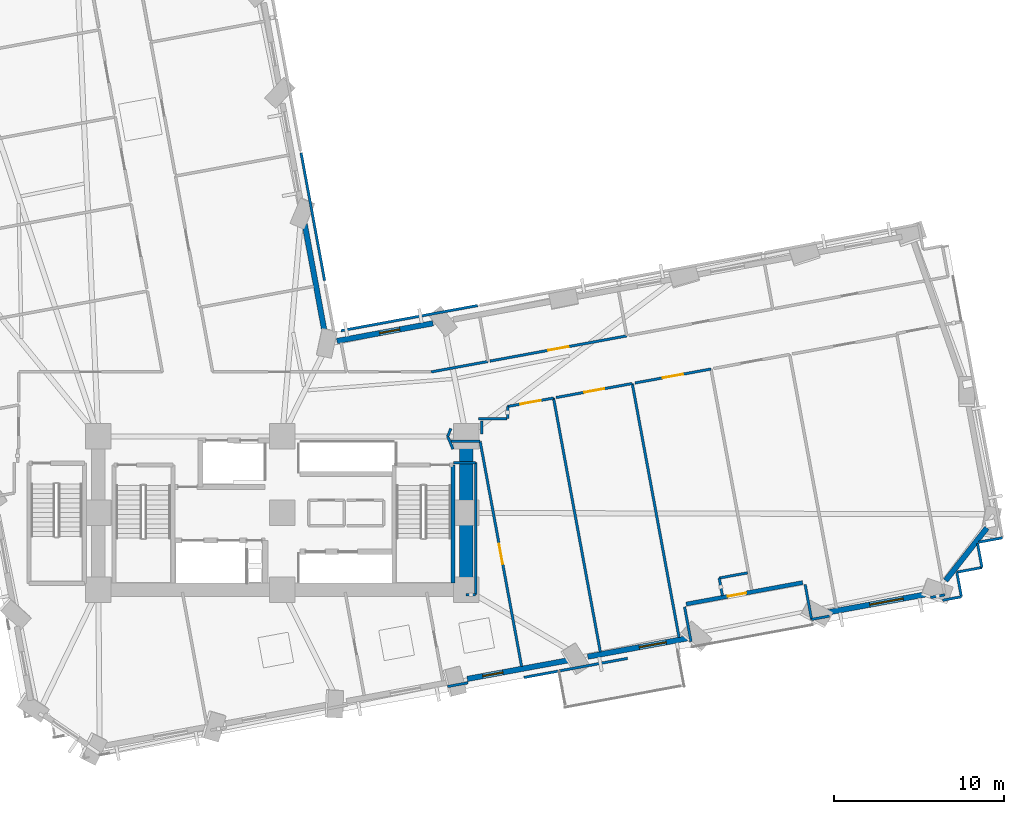
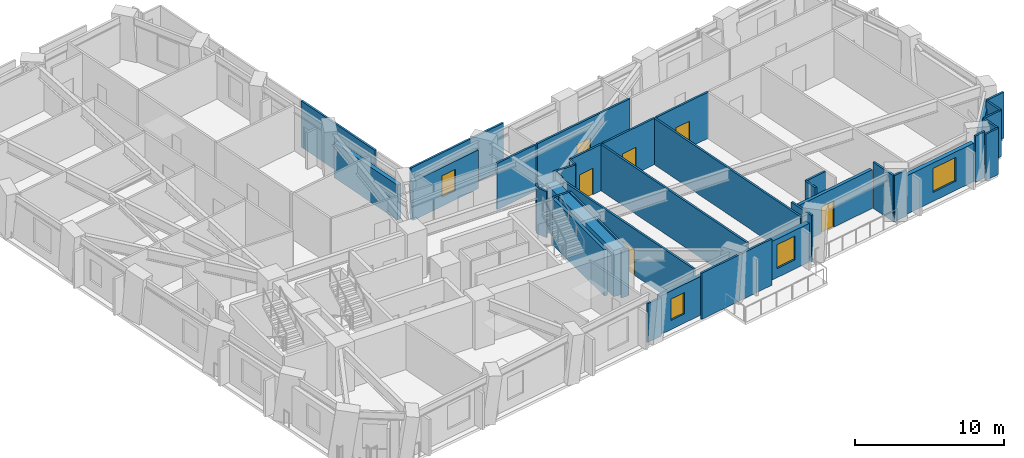
# One storey, part 9 of 16: 41 walls, 6 doors, 4 windows, 10 openings.
"""IFC4 building model written with IfcOpenShell, lengths in metres."""

from ifc_helpers import new_model, si_unit, direction, frame, frame_2d, origin, place, context, subcontext, project, spatial, rectangle, extrude, material, layer, layer_set, type_object, element, fill, save


model = new_model("IFC4")

# Units and contexts
model_context = context("Model", 3, precision=1e-05, world=origin(), true_north=direction((0.0, 1.0)))
body_context = subcontext(model_context, "Body", "Model", "MODEL_VIEW")
ifc_project = project(units=[si_unit("LENGTHUNIT", "METRE"), si_unit("AREAUNIT", "SQUARE_METRE"), si_unit("VOLUMEUNIT", "CUBIC_METRE"), si_unit("PLANEANGLEUNIT", "RADIAN"), si_unit("MASSUNIT", "GRAM", prefix="KILO")], contexts=[model_context])

# Site, building, storey
site_placement = place(None, origin())
site = spatial("IfcSite", under=ifc_project, at=site_placement, CompositionType="ELEMENT")
building_placement = place(site_placement, origin())
building = spatial("IfcBuilding", under=site, at=building_placement, Name="Gaonmaruhae Medical Tower", CompositionType="ELEMENT")
storey_placement = place(building_placement, frame((0.0, 0.0, 67.0)))
storey = spatial("IfcBuildingStorey", under=building, at=storey_placement, Name="L15", CompositionType="ELEMENT", Elevation=67.0)

# Wall
ifc_material_1 = material(Name="Concrete C60/75", Category="concrete")
ifc_layer_1 = layer(ifc_material_1, 0.800048828125)
ifc_layer_set_1 = layer_set([ifc_layer_1], Name="Concrete C60/75")
wall_type_1 = type_object("IfcWallType", Name="CW-800 Lower Core Shear Wall", PredefinedType="SHEAR", material=ifc_layer_set_1)
wall_1_placement = place(storey_placement, frame((35.60009765625, 7.800048828125, 0.0), z_axis=(0.0, 0.0, 1.0), x_axis=(0.0, 1.0, 0.0)))
element("IfcWall", 1, at=wall_1_placement, inside=storey, type_object=wall_type_1, Name="L15 Core Shear Wall CSW-E1", PredefinedType="SHEAR", context=body_context, shape_type="SweptSolid", body=[
    extrude(rectangle(XDim=9.0, YDim=0.800048828125, at=frame_2d((4.5, 0.0))), origin(), (0.0, 0.0, 1.0), 3.780029296875),
])

# Wall, opening, door
ifc_material_2 = material(Name="Precast concrete C45/55", Category="concrete")
ifc_layer_2 = layer(ifc_material_2, 0.239990234375)
ifc_layer_set_2 = layer_set([ifc_layer_2], Name="Precast concrete C45/55")
wall_type_2 = type_object("IfcWallType", Name="EW-240 Ribbon & Shelter Insulated Precast Wall", PredefinedType="SOLIDWALL", material=ifc_layer_set_2)
wall_2_placement = place(storey_placement, frame((55.357666015625, 8.211181640625, 0.0), z_axis=(0.0, 0.0, 1.0), x_axis=(-0.983411553053, -0.181388305362, 0.0)))
wall_2 = element("IfcWall", 2, at=wall_2_placement, inside=storey, type_object=wall_type_2, Name="L15 Recessed Terrace Enclosure Wall TERB", PredefinedType="SOLIDWALL", context=body_context, shape_type="SweptSolid", body=[
    extrude(rectangle(XDim=6.9599609375, YDim=0.239990234375, at=frame_2d((3.47998046875, 0.0))), origin(), (0.0, 0.0, 1.0), 3.1650390625),
])
opening_1_placement = place(wall_2_placement, frame((3.374755859375, 0.0, 0.0)))
opening_1 = element("IfcOpeningElement", 3, at=opening_1_placement, cuts=wall_2, Name="Opening TD-01", PredefinedType="OPENING", context=body_context, shape_type="SweptSolid", body=[
    extrude(rectangle(XDim=1.10009765625, YDim=2.14990234375, at=frame_2d((0.550048828125, 1.074951171875))), frame((0.0, 0.1298828125, 0.0), z_axis=(0.0, -1.0, 0.0), x_axis=(1.0, 0.0, 0.0)), (0.0, 0.0, 1.0), 0.260009765625),
])
ifc_material_3 = material(Name="Anodised aluminium and toughened safety glass", Category="aluminium")
door_type_1 = type_object("IfcDoorType", Name="TD-01 Terrace & Sky Garden Glazed Door 1100x2150", OperationType="NOTDEFINED", PredefinedType="DOOR", material=ifc_material_3)
door_1_placement = place(opening_1_placement, origin())
door_1 = element("IfcDoor", 4, at=door_1_placement, inside=storey, type_object=door_type_1, Name="L15 Outdoor Terrace Access Door SLB-L15-TER", OperationType="SINGLE_SWING_LEFT", OverallHeight=2.14990234375, OverallWidth=1.10009765625, PredefinedType="DOOR", context=body_context, shape_type="SweptSolid", body=[
    extrude(rectangle(XDim=1.10009765625, YDim=2.14990234375, at=frame_2d((0.550048828125, 1.074951171875))), frame((0.0, 0.02490234375, 0.0), z_axis=(0.0, -1.0, 0.0), x_axis=(1.0, 0.0, 0.0)), (0.0, 0.0, 1.0), 0.050048828125),
])
fill(opening_1, door_1)

# Wall, opening, window
ifc_layer_3 = layer(ifc_material_2, 0.320068359375)
ifc_layer_set_3 = layer_set([ifc_layer_3], Name="Precast concrete C45/55")
wall_type_3 = type_object("IfcWallType", Name="EW-320 Lower Precast Masonry-Frame Facade Wall", PredefinedType="SOLIDWALL", material=ifc_layer_set_3)
wall_3_placement = place(storey_placement, frame((41.547119140625, 3.640380859375, 0.0), z_axis=(0.0, 0.0, 1.0), x_axis=(-0.983417788938, -0.181354493742, 0.0)))
wall_3 = element("IfcWall", 5, at=wall_3_placement, inside=storey, type_object=wall_type_3, Name="L15 Precast Masonry-Frame Wall S04-S05", PredefinedType="SOLIDWALL", context=body_context, shape_type="SweptSolid", body=[
    extrude(rectangle(XDim=5.9853515625, YDim=0.320068359375, at=frame_2d((2.99267578125, 0.0))), origin(), (0.0, 0.0, 1.0), 3.1650390625),
])
opening_2_placement = place(wall_3_placement, frame((3.853759765625, 0.0, 0.75)))
opening_2 = element("IfcOpeningElement", 6, at=opening_2_placement, cuts=wall_3, Name="Opening WN-05", PredefinedType="OPENING", context=body_context, shape_type="SweptSolid", body=[
    extrude(rectangle(XDim=1.199951171875, YDim=1.75, at=frame_2d((0.60009765625, 0.875))), frame((0.0, 0.169921875, 0.0), z_axis=(0.0, -1.0, 0.0), x_axis=(1.0, 0.0, 0.0)), (0.0, 0.0, 1.0), 0.340087890625),
])
ifc_material_4 = material(Name="Anodised aluminium and Low-E double glazing", Category="aluminium")
window_type_1 = type_object("IfcWindowType", Name="WN-05 Support & Staff Punched Window 1200x1750", PartitioningType="SINGLE_PANEL", PredefinedType="WINDOW", material=ifc_material_4)
window_1_placement = place(opening_2_placement, origin())
window_1 = element("IfcWindow", 7, at=window_1_placement, inside=storey, type_object=window_type_1, Name="L15 Modular Facade Window S04", OverallHeight=1.75, OverallWidth=1.199951171875, PartitioningType="SINGLE_PANEL", PredefinedType="WINDOW", context=body_context, shape_type="SweptSolid", body=[
    extrude(rectangle(XDim=1.199951171875, YDim=1.75, at=frame_2d((0.60009765625, 0.875))), frame((0.0, 0.030029296875, 0.0), z_axis=(0.0, -1.0, 0.0), x_axis=(1.0, 0.0, 0.0)), (0.0, 0.0, 1.0), 0.06005859375),
])
fill(opening_2, window_1)

wall_4_placement = place(storey_placement, frame((48.5791015625, 4.9375, 0.0), z_axis=(0.0, 0.0, 1.0), x_axis=(-0.983412097266, -0.181385354842, 0.0)))
wall_4 = element("IfcWall", 8, at=wall_4_placement, inside=storey, type_object=wall_type_3, Name="L15 Precast Masonry-Frame Wall S05-S06", PredefinedType="SOLIDWALL", context=body_context, shape_type="SweptSolid", body=[
    extrude(rectangle(XDim=5.93701171875, YDim=0.320068359375, at=frame_2d((2.968505859375, 0.0))), origin(), (0.0, 0.0, 1.0), 3.1650390625),
])
opening_3_placement = place(wall_4_placement, frame((1.260498046875, 0.0, 0.75)))
opening_3 = element("IfcOpeningElement", 9, at=opening_3_placement, cuts=wall_4, Name="Opening WN-01", PredefinedType="OPENING", context=body_context, shape_type="SweptSolid", body=[
    extrude(rectangle(XDim=1.60009765625, YDim=1.949951171875, at=frame_2d((0.800048828125, 0.97509765625))), frame((0.0, 0.169921875, 0.0), z_axis=(0.0, -1.0, 0.0), x_axis=(1.0, 0.0, 0.0)), (0.0, 0.0, 1.0), 0.340087890625),
])
window_type_2 = type_object("IfcWindowType", Name="WN-01 Ward Punched Acoustic Window 1600x1950", PartitioningType="SINGLE_PANEL", PredefinedType="WINDOW", material=ifc_material_4)
window_2_placement = place(opening_3_placement, origin())
window_2 = element("IfcWindow", 10, at=window_2_placement, inside=storey, type_object=window_type_2, Name="L15 Modular Facade Window S05", OverallHeight=1.949951171875, OverallWidth=1.60009765625, PartitioningType="SINGLE_PANEL", PredefinedType="WINDOW", context=body_context, shape_type="SweptSolid", body=[
    extrude(rectangle(XDim=1.60009765625, YDim=1.949951171875, at=frame_2d((0.800048828125, 0.97509765625))), frame((0.0, 0.030029296875, 0.0), z_axis=(0.0, -1.0, 0.0), x_axis=(1.0, 0.0, 0.0)), (0.0, 0.0, 1.0), 0.06005859375),
])
fill(opening_3, window_2)

wall_5_placement = place(storey_placement, frame((62.82568359375, 7.56494140625, 0.0), z_axis=(0.0, 0.0, 1.0), x_axis=(-0.983418326153, -0.181351580599, 0.0)))
wall_5 = element("IfcWall", 11, at=wall_5_placement, inside=storey, type_object=wall_type_3, Name="L15 Precast Masonry-Frame Wall S07-S08", PredefinedType="SOLIDWALL", context=body_context, shape_type="SweptSolid", body=[
    extrude(rectangle(XDim=6.044677734375, YDim=0.320068359375, at=frame_2d((3.0224609375, 0.0))), origin(), (0.0, 0.0, 1.0), 3.14501953125),
])
opening_4_placement = place(wall_5_placement, frame((1.59912109375, 0.0, 0.75)))
opening_4 = element("IfcOpeningElement", 12, at=opening_4_placement, cuts=wall_5, Name="Opening WN-02", PredefinedType="OPENING", context=body_context, shape_type="SweptSolid", body=[
    extrude(rectangle(XDim=2.0, YDim=1.949951171875, at=frame_2d((1.0, 0.97509765625))), frame((0.0, 0.169921875, 0.0), z_axis=(0.0, -1.0, 0.0), x_axis=(1.0, 0.0, 0.0)), (0.0, 0.0, 1.0), 0.340087890625),
])
window_type_3 = type_object("IfcWindowType", Name="WN-02 Double-Bed Ward Punched Window 2000x1950", PartitioningType="SINGLE_PANEL", PredefinedType="WINDOW", material=ifc_material_4)
window_3_placement = place(opening_4_placement, origin())
window_3 = element("IfcWindow", 13, at=window_3_placement, inside=storey, type_object=window_type_3, Name="L15 Modular Facade Window S07", OverallHeight=1.949951171875, OverallWidth=2.0, PartitioningType="SINGLE_PANEL", PredefinedType="WINDOW", context=body_context, shape_type="SweptSolid", body=[
    extrude(rectangle(XDim=2.0, YDim=1.949951171875, at=frame_2d((1.0, 0.97509765625))), frame((0.0, 0.030029296875, 0.0), z_axis=(0.0, -1.0, 0.0), x_axis=(1.0, 0.0, 0.0)), (0.0, 0.0, 1.0), 0.06005859375),
])
fill(opening_4, window_3)

# Wall
wall_6_placement = place(storey_placement, frame((66.17529296875, 11.423583984375, 0.0), z_axis=(0.0, 0.0, 1.0), x_axis=(-0.617077298218, -0.786902540359, 0.0)))
element("IfcWall", 14, at=wall_6_placement, inside=storey, type_object=wall_type_3, Name="L15 Precast Masonry-Frame Wall S08-E01", PredefinedType="SOLIDWALL", context=body_context, shape_type="SweptSolid", body=[
    extrude(rectangle(XDim=3.927490234375, YDim=0.320068359375, at=frame_2d((1.9638671875, 0.0))), origin(), (0.0, 0.0, 1.0), 3.1650390625),
])

# Wall, opening, window
wall_7_placement = place(storey_placement, frame((28.010498046875, 22.396240234375, 0.0), z_axis=(0.0, 0.0, 1.0), x_axis=(0.983409057402, 0.181401835215, 0.0)))
wall_7 = element("IfcWall", 15, at=wall_7_placement, inside=storey, type_object=wall_type_3, Name="L15 Precast Masonry-Frame Wall EN04-KN01", PredefinedType="SOLIDWALL", context=body_context, shape_type="SweptSolid", body=[
    extrude(rectangle(XDim=5.736083984375, YDim=0.320068359375, at=frame_2d((2.8681640625, 0.0))), origin(), (0.0, 0.0, 1.0), 3.1650390625),
])
opening_5_placement = place(wall_7_placement, frame((2.54345703125, 0.0, 0.75)))
opening_5 = element("IfcOpeningElement", 16, at=opening_5_placement, cuts=wall_7, Name="Opening WN-05", PredefinedType="OPENING", context=body_context, shape_type="SweptSolid", body=[
    extrude(rectangle(XDim=1.199951171875, YDim=1.75, at=frame_2d((0.60009765625, 0.875))), frame((0.0, 0.169921875, 0.0), z_axis=(0.0, -1.0, 0.0), x_axis=(1.0, 0.0, 0.0)), (0.0, 0.0, 1.0), 0.340087890625),
])
window_4_placement = place(opening_5_placement, origin())
window_4 = element("IfcWindow", 17, at=window_4_placement, inside=storey, type_object=window_type_1, Name="L15 Modular Facade Window EN04", OverallHeight=1.75, OverallWidth=1.199951171875, PartitioningType="SINGLE_PANEL", PredefinedType="WINDOW", context=body_context, shape_type="SweptSolid", body=[
    extrude(rectangle(XDim=1.199951171875, YDim=1.75, at=frame_2d((0.60009765625, 0.875))), frame((0.0, 0.030029296875, 0.0), z_axis=(0.0, -1.0, 0.0), x_axis=(1.0, 0.0, 0.0)), (0.0, 0.0, 1.0), 0.06005859375),
])
fill(opening_5, window_4)

# Walls
wall_8_placement = place(storey_placement, frame((27.302978515625, 22.82861328125, 0.0), z_axis=(0.0, 0.0, 1.0), x_axis=(-0.181346862561, 0.983419196192, 0.0)))
element("IfcWall", 18, at=wall_8_placement, inside=storey, type_object=wall_type_3, Name="L15 Precast Masonry-Frame Wall KN01-NE01", PredefinedType="SOLIDWALL", context=body_context, shape_type="SweptSolid", body=[
    extrude(rectangle(XDim=6.5361328125, YDim=0.320068359375, at=frame_2d((3.26806640625, 0.0))), origin(), (0.0, 0.0, 1.0), 2.864990234375),
])
ifc_material_5 = material(Name="Gypsum board partition", Category="gypsum")
ifc_layer_4 = layer(ifc_material_5, 0.14990234375)
ifc_layer_set_4 = layer_set([ifc_layer_4], Name="Gypsum board partition")
wall_type_4 = type_object("IfcWallType", Name="PW-150 Rated Clinical Corridor Partition", PredefinedType="PARTITIONING", material=ifc_layer_set_4)
wall_9_placement = place(storey_placement, frame((36.14990234375, 15.260009765625, 0.0), z_axis=(0.0, 0.0, 1.0), x_axis=(-1.0, 0.0, 0.0)))
element("IfcWall", 19, at=wall_9_placement, inside=storey, type_object=wall_type_4, Name="L15 Interior Partition L15-TRM06-15", PredefinedType="PARTITIONING", context=body_context, shape_type="SweptSolid", body=[
    extrude(rectangle(XDim=1.2998046875, YDim=0.14990234375, at=frame_2d((0.64990234375, 0.0))), origin(), (0.0, 0.0, 1.0), 3.780029296875),
])
wall_10_placement = place(storey_placement, frame((34.822021484375, 16.050048828125, 0.0), z_axis=(0.0, 0.0, 1.0), x_axis=(-0.382050639738, 0.924141389981, 0.0)))
element("IfcWall", 20, at=wall_10_placement, inside=storey, type_object=wall_type_4, Name="L15 Interior Partition L15-TRM06-16", PredefinedType="PARTITIONING", context=body_context, shape_type="SweptSolid", body=[
    extrude(rectangle(XDim=0.8115234375, YDim=0.14990234375, at=frame_2d((0.40576171875, 0.0))), origin(), (0.0, 0.0, 1.0), 3.780029296875),
])
wall_11_placement = place(storey_placement, frame((34.511962890625, 16.800048828125, 0.0), z_axis=(0.0, 0.0, 1.0), x_axis=(0.382673670509, 0.923883575944, 0.0)))
element("IfcWall", 21, at=wall_11_placement, inside=storey, type_object=wall_type_4, Name="L15 Interior Partition L15-TRM06-17", PredefinedType="PARTITIONING", context=body_context, shape_type="SweptSolid", body=[
    extrude(rectangle(XDim=0.4912109375, YDim=0.14990234375, at=frame_2d((0.24560546875, 0.0))), origin(), (0.0, 0.0, 1.0), 3.780029296875),
])
wall_12_placement = place(storey_placement, frame((34.699951171875, 16.5, 0.0), z_axis=(0.0, 0.0, 1.0), x_axis=(1.0, 0.0, 0.0)))
element("IfcWall", 22, at=wall_12_placement, inside=storey, type_object=wall_type_4, Name="L15 Interior Partition L15-TRM06-18", PredefinedType="PARTITIONING", context=body_context, shape_type="SweptSolid", body=[
    extrude(rectangle(XDim=1.717041015625, YDim=0.14990234375, at=frame_2d((0.8583984375, 0.0))), origin(), (0.0, 0.0, 1.0), 2.864990234375),
])

# Wall, opening, door
wall_13_placement = place(storey_placement, frame((36.4169921875, 16.5, 0.0), z_axis=(0.0, 0.0, 1.0), x_axis=(0.181371836751, -0.983414590513, 0.0)))
wall_13 = element("IfcWall", 23, at=wall_13_placement, inside=storey, type_object=wall_type_4, Name="L15 Interior Partition L15-TRM06-19", PredefinedType="PARTITIONING", context=body_context, shape_type="SweptSolid", body=[
    extrude(rectangle(XDim=13.44189453125, YDim=0.14990234375, at=frame_2d((6.720947265625, 0.0))), origin(), (0.0, 0.0, 1.0), 3.780029296875),
])
opening_6_placement = place(wall_13_placement, frame((6.12109375, 0.0, 0.0)))
opening_6 = element("IfcOpeningElement", 24, at=opening_6_placement, cuts=wall_13, Name="Opening CD-02", PredefinedType="OPENING", context=body_context, shape_type="SweptSolid", body=[
    extrude(rectangle(XDim=1.199951171875, YDim=2.14990234375, at=frame_2d((0.60009765625, 1.074951171875))), frame((0.0, 0.0849609375, 0.0), z_axis=(0.0, -1.0, 0.0), x_axis=(1.0, 0.0, 0.0)), (0.0, 0.0, 1.0), 0.169921875),
])
ifc_material_6 = material(Name="Antimicrobial laminate timber fire door", Category="wood")
door_type_2 = type_object("IfcDoorType", Name="CD-02 Clinical Treatment & Procedure Door 1200x2150", OperationType="NOTDEFINED", PredefinedType="DOOR", material=ifc_material_6)
door_2_placement = place(opening_6_placement, origin())
door_2 = element("IfcDoor", 25, at=door_2_placement, inside=storey, type_object=door_type_2, Name="L15 Clinical Procedure Examination Room Sliding Door", OperationType="SLIDING_TO_LEFT", OverallHeight=2.14990234375, OverallWidth=1.199951171875, PredefinedType="DOOR", context=body_context, shape_type="SweptSolid", body=[
    extrude(rectangle(XDim=1.199951171875, YDim=2.14990234375, at=frame_2d((0.60009765625, 1.074951171875))), frame((0.0, 0.02490234375, 0.0), z_axis=(0.0, -1.0, 0.0), x_axis=(1.0, 0.0, 0.0)), (0.0, 0.0, 1.0), 0.050048828125),
])
fill(opening_6, door_2)

# Walls
wall_14_placement = place(storey_placement, frame((35.702880859375, 2.3291015625, 0.0), z_axis=(0.0, 0.0, 1.0), x_axis=(-0.983292662079, -0.182031702461, 0.0)))
element("IfcWall", 26, at=wall_14_placement, inside=storey, type_object=wall_type_4, Name="L15 Interior Partition L15-TRM06-20", PredefinedType="PARTITIONING", context=body_context, shape_type="SweptSolid", body=[
    extrude(rectangle(XDim=1.215087890625, YDim=0.14990234375, at=frame_2d((0.607421875, 0.0))), origin(), (0.0, 0.0, 1.0), 3.1650390625),
])
wall_15_placement = place(storey_placement, frame((35.60009765625, 7.5, 0.0), z_axis=(0.0, 0.0, 1.0), x_axis=(1.0, 0.0, 0.0)))
element("IfcWall", 27, at=wall_15_placement, inside=storey, type_object=wall_type_4, Name="L15 Interior Partition L15-TRM06-21", PredefinedType="PARTITIONING", context=body_context, shape_type="SweptSolid", body=[
    extrude(rectangle(XDim=0.5498046875, YDim=0.14990234375, at=frame_2d((0.27490234375, 0.0))), origin(), (0.0, 0.0, 1.0), 3.780029296875),
])
wall_16_placement = place(storey_placement, frame((36.14990234375, 7.5, 0.0), z_axis=(0.0, 0.0, 1.0), x_axis=(0.0, 1.0, 0.0)))
element("IfcWall", 28, at=wall_16_placement, inside=storey, type_object=wall_type_4, Name="L15 Interior Partition L15-TRM06-22", PredefinedType="PARTITIONING", context=body_context, shape_type="SweptSolid", body=[
    extrude(rectangle(XDim=7.760009765625, YDim=0.14990234375, at=frame_2d((3.8798828125, 0.0))), origin(), (0.0, 0.0, 1.0), 3.780029296875),
])
wall_17_placement = place(storey_placement, frame((36.3359375, 17.820068359375, 0.0), z_axis=(0.0, 0.0, 1.0), x_axis=(0.999999829655, 0.000583685878, 0.0)))
element("IfcWall", 29, at=wall_17_placement, inside=storey, type_object=wall_type_4, Name="L15 Interior Partition L15-SUP07-23", PredefinedType="PARTITIONING", context=body_context, shape_type="SweptSolid", body=[
    extrude(rectangle(XDim=1.673095703125, YDim=0.14990234375, at=frame_2d((0.83642578125, 0.0))), origin(), (0.0, 0.0, 1.0), 3.780029296875),
])
wall_18_placement = place(storey_placement, frame((38.030029296875, 17.85009765625, 0.0), z_axis=(0.0, 0.0, 1.0), x_axis=(0.0, 1.0, 0.0)))
element("IfcWall", 30, at=wall_18_placement, inside=storey, type_object=wall_type_4, Name="L15 Interior Partition L15-SUP07-24", PredefinedType="PARTITIONING", context=body_context, shape_type="SweptSolid", body=[
    extrude(rectangle(XDim=0.699951171875, YDim=0.14990234375, at=frame_2d((0.35009765625, 0.0))), origin(), (0.0, 0.0, 1.0), 3.780029296875),
])

# Wall, opening, door
wall_19_placement = place(storey_placement, frame((38.030029296875, 18.550048828125, 0.0), z_axis=(0.0, 0.0, 1.0), x_axis=(0.983436906471, 0.181250795834, 0.0)))
wall_19 = element("IfcWall", 31, at=wall_19_placement, inside=storey, type_object=wall_type_4, Name="L15 Interior Partition L15-SUP07-25", PredefinedType="PARTITIONING", context=body_context, shape_type="SweptSolid", body=[
    extrude(rectangle(XDim=2.742431640625, YDim=0.14990234375, at=frame_2d((1.37109375, 0.0))), origin(), (0.0, 0.0, 1.0), 3.780029296875),
])
opening_7_placement = place(wall_19_placement, frame((0.771240234375, 0.0, 0.0)))
opening_7 = element("IfcOpeningElement", 32, at=opening_7_placement, cuts=wall_19, Name="Opening CD-02", PredefinedType="OPENING", context=body_context, shape_type="SweptSolid", body=[
    extrude(rectangle(XDim=1.199951171875, YDim=2.14990234375, at=frame_2d((0.60009765625, 1.074951171875))), frame((0.0, 0.0849609375, 0.0), z_axis=(0.0, -1.0, 0.0), x_axis=(1.0, 0.0, 0.0)), (0.0, 0.0, 1.0), 0.169921875),
])
door_3_placement = place(opening_7_placement, origin())
door_3 = element("IfcDoor", 33, at=door_3_placement, inside=storey, type_object=door_type_2, Name="L15 Clinical Biomedical Charting Office Door", OperationType="SINGLE_SWING_RIGHT", OverallHeight=2.14990234375, OverallWidth=1.199951171875, PredefinedType="DOOR", context=body_context, shape_type="SweptSolid", body=[
    extrude(rectangle(XDim=1.199951171875, YDim=2.14990234375, at=frame_2d((0.60009765625, 1.074951171875))), frame((0.0, 0.02490234375, 0.0), z_axis=(0.0, -1.0, 0.0), x_axis=(1.0, 0.0, 0.0)), (0.0, 0.0, 1.0), 0.050048828125),
])
fill(opening_7, door_3)

# Walls
wall_20_placement = place(storey_placement, frame((40.72705078125, 19.047119140625, 0.0), z_axis=(0.0, 0.0, 1.0), x_axis=(0.181344362181, -0.98341965727, 0.0)))
element("IfcWall", 34, at=wall_20_placement, inside=storey, type_object=wall_type_4, Name="L15 Interior Partition L15-SUP07-26", PredefinedType="PARTITIONING", context=body_context, shape_type="SweptSolid", body=[
    extrude(rectangle(XDim=15.16455078125, YDim=0.14990234375, at=frame_2d((7.582275390625, 0.0))), origin(), (0.0, 0.0, 1.0), 3.780029296875),
])
wall_21_placement = place(storey_placement, frame((36.5, 16.93310546875, 0.0), z_axis=(0.0, 0.0, 1.0), x_axis=(0.0, 1.0, 0.0)))
element("IfcWall", 35, at=wall_21_placement, inside=storey, type_object=wall_type_4, Name="L15 Interior Partition L15-SUP07-28", PredefinedType="PARTITIONING", context=body_context, shape_type="SweptSolid", body=[
    extrude(rectangle(XDim=0.766845703125, YDim=0.14990234375, at=frame_2d((0.38330078125, 0.0))), origin(), (0.0, 0.0, 1.0), 3.780029296875),
])

# Wall, opening, door
wall_22_placement = place(storey_placement, frame((40.884033203125, 19.075927734375, 0.0), z_axis=(0.0, 0.0, 1.0), x_axis=(0.983395912318, 0.181473082403, 0.0)))
wall_22 = element("IfcWall", 36, at=wall_22_placement, inside=storey, type_object=wall_type_4, Name="L15 Interior Partition L15-SUP08-29", PredefinedType="PARTITIONING", context=body_context, shape_type="SweptSolid", body=[
    extrude(rectangle(XDim=4.54052734375, YDim=0.14990234375, at=frame_2d((2.270263671875, 0.0))), origin(), (0.0, 0.0, 1.0), 3.780029296875),
])
opening_8_placement = place(wall_22_placement, frame((1.670166015625, 0.0, 0.0)))
opening_8 = element("IfcOpeningElement", 37, at=opening_8_placement, cuts=wall_22, Name="Opening CD-02", PredefinedType="OPENING", context=body_context, shape_type="SweptSolid", body=[
    extrude(rectangle(XDim=1.199951171875, YDim=2.14990234375, at=frame_2d((0.60009765625, 1.074951171875))), frame((0.0, 0.0849609375, 0.0), z_axis=(0.0, -1.0, 0.0), x_axis=(1.0, 0.0, 0.0)), (0.0, 0.0, 1.0), 0.169921875),
])
door_4_placement = place(opening_8_placement, origin())
door_4 = element("IfcDoor", 38, at=door_4_placement, inside=storey, type_object=door_type_2, Name="L15 Clinical Biomedical Charting Office Door", OperationType="SINGLE_SWING_LEFT", OverallHeight=2.14990234375, OverallWidth=1.199951171875, PredefinedType="DOOR", context=body_context, shape_type="SweptSolid", body=[
    extrude(rectangle(XDim=1.199951171875, YDim=2.14990234375, at=frame_2d((0.60009765625, 1.074951171875))), frame((0.0, 0.02490234375, 0.0), z_axis=(0.0, -1.0, 0.0), x_axis=(1.0, 0.0, 0.0)), (0.0, 0.0, 1.0), 0.050048828125),
])
fill(opening_8, door_4)

# Wall
wall_23_placement = place(storey_placement, frame((45.34912109375, 19.89990234375, 0.0), z_axis=(0.0, 0.0, 1.0), x_axis=(0.181335749164, -0.983421245487, 0.0)))
element("IfcWall", 39, at=wall_23_placement, inside=storey, type_object=wall_type_4, Name="L15 Interior Partition L15-SUP08-30", PredefinedType="PARTITIONING", context=body_context, shape_type="SweptSolid", body=[
    extrude(rectangle(XDim=15.165283203125, YDim=0.14990234375, at=frame_2d((7.58251953125, 0.0))), origin(), (0.0, 0.0, 1.0), 3.780029296875),
])

# Wall, opening, door
wall_24_placement = place(storey_placement, frame((45.506103515625, 19.928955078125, 0.0), z_axis=(0.0, 0.0, 1.0), x_axis=(0.983432507903, 0.181274660113, 0.0)))
wall_24 = element("IfcWall", 40, at=wall_24_placement, inside=storey, type_object=wall_type_4, Name="L15 Interior Partition L15-SUP09-31", PredefinedType="PARTITIONING", context=body_context, shape_type="SweptSolid", body=[
    extrude(rectangle(XDim=4.5400390625, YDim=0.14990234375, at=frame_2d((2.27001953125, 0.0))), origin(), (0.0, 0.0, 1.0), 3.780029296875),
])
opening_9_placement = place(wall_24_placement, frame((1.670166015625, 0.0, 0.0)))
opening_9 = element("IfcOpeningElement", 41, at=opening_9_placement, cuts=wall_24, Name="Opening CD-02", PredefinedType="OPENING", context=body_context, shape_type="SweptSolid", body=[
    extrude(rectangle(XDim=1.199951171875, YDim=2.14990234375, at=frame_2d((0.60009765625, 1.074951171875))), frame((0.0, 0.0849609375, 0.0), z_axis=(0.0, -1.0, 0.0), x_axis=(1.0, 0.0, 0.0)), (0.0, 0.0, 1.0), 0.169921875),
])
door_5_placement = place(opening_9_placement, origin())
door_5 = element("IfcDoor", 42, at=door_5_placement, inside=storey, type_object=door_type_2, Name="L15 Clinical Biomedical Charting Office Door", OperationType="SINGLE_SWING_LEFT", OverallHeight=2.14990234375, OverallWidth=1.199951171875, PredefinedType="DOOR", context=body_context, shape_type="SweptSolid", body=[
    extrude(rectangle(XDim=1.199951171875, YDim=2.14990234375, at=frame_2d((0.60009765625, 1.074951171875))), frame((0.0, 0.02490234375, 0.0), z_axis=(0.0, -1.0, 0.0), x_axis=(1.0, 0.0, 0.0)), (0.0, 0.0, 1.0), 0.050048828125),
])
fill(opening_9, door_5)

# Walls
wall_25_placement = place(storey_placement, frame((52.125, 8.783935546875, 0.0), z_axis=(0.0, 0.0, 1.0), x_axis=(-0.983446450717, -0.181199002682, 0.0)))
element("IfcWall", 43, at=wall_25_placement, inside=storey, type_object=wall_type_4, Name="L15 Interior Partition L15-SUP09-33", PredefinedType="PARTITIONING", context=body_context, shape_type="SweptSolid", body=[
    extrude(rectangle(XDim=1.698974609375, YDim=0.14990234375, at=frame_2d((0.849609375, 0.0))), origin(), (0.0, 0.0, 1.0), 3.780029296875),
])
wall_26_placement = place(storey_placement, frame((50.4541015625, 8.47607421875, 0.0), z_axis=(0.0, 0.0, 1.0), x_axis=(0.179984667326, -0.983669415773, 0.0)))
element("IfcWall", 44, at=wall_26_placement, inside=storey, type_object=wall_type_4, Name="L15 Interior Partition L15-SUP09-34", PredefinedType="PARTITIONING", context=body_context, shape_type="SweptSolid", body=[
    extrude(rectangle(XDim=1.055419921875, YDim=0.14990234375, at=frame_2d((0.52783203125, 0.0))), origin(), (0.0, 0.0, 1.0), 3.780029296875),
])
wall_27_placement = place(storey_placement, frame((48.4208984375, 6.7890625, 0.0), z_axis=(0.0, 0.0, 1.0), x_axis=(0.181374568917, -0.983414086614, 0.0)))
element("IfcWall", 45, at=wall_27_placement, inside=storey, type_object=wall_type_4, Name="L15 Interior Partition L15-SUP09-35", PredefinedType="PARTITIONING", context=body_context, shape_type="SweptSolid", body=[
    extrude(rectangle(XDim=2.07958984375, YDim=0.14990234375, at=frame_2d((1.039794921875, 0.0))), origin(), (0.0, 0.0, 1.0), 3.780029296875),
])
wall_28_placement = place(storey_placement, frame((56.923095703125, 6.241943359375, 0.0), z_axis=(0.0, 0.0, 1.0), x_axis=(-0.983559660352, -0.180583483541, 0.0)))
element("IfcWall", 46, at=wall_28_placement, inside=storey, type_object=wall_type_4, Name="L15 Interior Partition L15-SUP10-38", PredefinedType="PARTITIONING", context=body_context, shape_type="SweptSolid", body=[
    extrude(rectangle(XDim=1.062744140625, YDim=0.14990234375, at=frame_2d((0.53125, 0.0))), origin(), (0.0, 0.0, 1.0), 3.780029296875),
])
wall_29_placement = place(storey_placement, frame((55.8779296875, 6.050048828125, 0.0), z_axis=(0.0, 0.0, 1.0), x_axis=(-0.181281962035, 0.983431161923, 0.0)))
element("IfcWall", 47, at=wall_29_placement, inside=storey, type_object=wall_type_4, Name="L15 Interior Partition L15-SUP10-39", PredefinedType="PARTITIONING", context=body_context, shape_type="SweptSolid", body=[
    extrude(rectangle(XDim=2.079345703125, YDim=0.14990234375, at=frame_2d((1.03955078125, 0.0))), origin(), (0.0, 0.0, 1.0), 3.780029296875),
])
wall_30_placement = place(storey_placement, frame((63.702880859375, 7.492919921875, 0.0), z_axis=(0.0, 0.0, 1.0), x_axis=(-0.983490875229, -0.18095772529, 0.0)))
element("IfcWall", 48, at=wall_30_placement, inside=storey, type_object=wall_type_4, Name="L15 Interior Partition L15-SUP11-42", PredefinedType="PARTITIONING", context=body_context, shape_type="SweptSolid", body=[
    extrude(rectangle(XDim=0.849853515625, YDim=0.14990234375, at=frame_2d((0.4248046875, 0.0))), origin(), (0.0, 0.0, 1.0), 3.780029296875),
])
wall_31_placement = place(storey_placement, frame((28.24609375, 22.9990234375, 0.0), z_axis=(0.0, 0.0, 1.0), x_axis=(0.983406321918, 0.181416664095, 0.0)))
element("IfcWall", 49, at=wall_31_placement, inside=storey, type_object=wall_type_4, Name="L15 Interior Partition L15-IE02-73", PredefinedType="PARTITIONING", context=body_context, shape_type="SweptSolid", body=[
    extrude(rectangle(XDim=8.163330078125, YDim=0.14990234375, at=frame_2d((4.08154296875, 0.0))), origin(), (0.0, 0.0, 1.0), 3.780029296875),
])
wall_32_placement = place(storey_placement, frame((36.8798828125, 21.195068359375, 0.0), z_axis=(0.0, 0.0, 1.0), x_axis=(-0.983418741688, -0.181349327256, 0.0)))
element("IfcWall", 50, at=wall_32_placement, inside=storey, type_object=wall_type_4, Name="L15 Interior Partition L15-IE02-75", PredefinedType="PARTITIONING", context=body_context, shape_type="SweptSolid", body=[
    extrude(rectangle(XDim=3.39111328125, YDim=0.14990234375, at=frame_2d((1.695556640625, 0.0))), origin(), (0.0, 0.0, 1.0), 3.780029296875),
])

# Wall, opening, door
wall_33_placement = place(storey_placement, frame((45.027099609375, 22.697998046875, 0.0), z_axis=(0.0, 0.0, 1.0), x_axis=(-0.983411242351, -0.181389989847, 0.0)))
wall_33 = element("IfcWall", 51, at=wall_33_placement, inside=storey, type_object=wall_type_4, Name="L15 Interior Partition L15-IE03-77", PredefinedType="PARTITIONING", context=body_context, shape_type="SweptSolid", body=[
    extrude(rectangle(XDim=8.16455078125, YDim=0.14990234375, at=frame_2d((4.082275390625, 0.0))), origin(), (0.0, 0.0, 1.0), 3.780029296875),
])
opening_10_placement = place(wall_33_placement, frame((3.482177734375, 0.0, 0.0)))
opening_10 = element("IfcOpeningElement", 52, at=opening_10_placement, cuts=wall_33, Name="Opening CD-02", PredefinedType="OPENING", context=body_context, shape_type="SweptSolid", body=[
    extrude(rectangle(XDim=1.199951171875, YDim=2.14990234375, at=frame_2d((0.60009765625, 1.074951171875))), frame((0.0, 0.0849609375, 0.0), z_axis=(0.0, -1.0, 0.0), x_axis=(1.0, 0.0, 0.0)), (0.0, 0.0, 1.0), 0.169921875),
])
door_6_placement = place(opening_10_placement, origin())
door_6 = element("IfcDoor", 53, at=door_6_placement, inside=storey, type_object=door_type_2, Name="L15 Clean Medication Preparation Room Door", OperationType="SINGLE_SWING_LEFT", OverallHeight=2.14990234375, OverallWidth=1.199951171875, PredefinedType="DOOR", context=body_context, shape_type="SweptSolid", body=[
    extrude(rectangle(XDim=1.199951171875, YDim=2.14990234375, at=frame_2d((0.60009765625, 1.074951171875))), frame((0.0, 0.02490234375, 0.0), z_axis=(0.0, -1.0, 0.0), x_axis=(1.0, 0.0, 0.0)), (0.0, 0.0, 1.0), 0.050048828125),
])
fill(opening_10, door_6)

# Walls
wall_34_placement = place(storey_placement, frame((25.905029296875, 33.443115234375, 0.0), z_axis=(0.0, 0.0, 1.0), x_axis=(0.181386218553, -0.983411937958, 0.0)))
element("IfcWall", 54, at=wall_34_placement, inside=storey, type_object=wall_type_4, Name="L15 Interior Partition L15-IN01-93", PredefinedType="PARTITIONING", context=body_context, shape_type="SweptSolid", body=[
    extrude(rectangle(XDim=7.6357421875, YDim=0.14990234375, at=frame_2d((3.81787109375, 0.0))), origin(), (0.0, 0.0, 1.0), 3.780029296875),
])
wall_35_placement = place(storey_placement, frame((45.075927734375, 3.762939453125, 0.0), z_axis=(0.0, 0.0, 1.0), x_axis=(-0.983402108303, -0.181439503377, 0.0)))
element("IfcWall", 55, at=wall_35_placement, inside=storey, type_object=wall_type_4, Name="L15 Interior Partition L15-RM03-108", PredefinedType="PARTITIONING", context=body_context, shape_type="SweptSolid", body=[
    extrude(rectangle(XDim=6.189697265625, YDim=0.14990234375, at=frame_2d((3.0947265625, 0.0))), origin(), (0.0, 0.0, 1.0), 3.780029296875),
])
wall_36_placement = place(storey_placement, frame((65.6240234375, 10.501953125, 0.0), z_axis=(0.0, 0.0, 1.0), x_axis=(0.181722638549, -0.983349827192, 0.0)))
element("IfcWall", 56, at=wall_36_placement, inside=storey, type_object=wall_type_4, Name="L15 Interior Partition L15-RM04-109", PredefinedType="PARTITIONING", context=body_context, shape_type="SweptSolid", body=[
    extrude(rectangle(XDim=1.430908203125, YDim=0.14990234375, at=frame_2d((0.71533203125, 0.0))), origin(), (0.0, 0.0, 1.0), 3.780029296875),
])
wall_37_placement = place(storey_placement, frame((65.884033203125, 9.094970703125, 0.0), z_axis=(0.0, 0.0, 1.0), x_axis=(-0.983424177059, -0.181319849924, 0.0)))
element("IfcWall", 57, at=wall_37_placement, inside=storey, type_object=wall_type_4, Name="L15 Interior Partition L15-RM04-110", PredefinedType="PARTITIONING", context=body_context, shape_type="SweptSolid", body=[
    extrude(rectangle(XDim=1.5, YDim=0.14990234375, at=frame_2d((0.75, 0.0))), origin(), (0.0, 0.0, 1.0), 3.780029296875),
])
wall_38_placement = place(storey_placement, frame((64.408935546875, 8.822998046875, 0.0), z_axis=(0.0, 0.0, 1.0), x_axis=(0.180989152548, -0.983485092241, 0.0)))
element("IfcWall", 58, at=wall_38_placement, inside=storey, type_object=wall_type_4, Name="L15 Interior Partition L15-RM04-111", PredefinedType="PARTITIONING", context=body_context, shape_type="SweptSolid", body=[
    extrude(rectangle(XDim=1.47021484375, YDim=0.14990234375, at=frame_2d((0.735107421875, 0.0))), origin(), (0.0, 0.0, 1.0), 3.780029296875),
])
wall_39_placement = place(storey_placement, frame((64.675048828125, 7.376953125, 0.0), z_axis=(0.0, 0.0, 1.0), x_axis=(-0.983445008558, -0.181206829736, 0.0)))
element("IfcWall", 59, at=wall_39_placement, inside=storey, type_object=wall_type_4, Name="L15 Interior Partition L15-RM04-112", PredefinedType="PARTITIONING", context=body_context, shape_type="SweptSolid", body=[
    extrude(rectangle(XDim=1.11962890625, YDim=0.14990234375, at=frame_2d((0.559814453125, 0.0))), origin(), (0.0, 0.0, 1.0), 3.780029296875),
])
wall_40_placement = place(storey_placement, frame((67.0869140625, 10.842041015625, 0.0), z_axis=(0.0, 0.0, 1.0), x_axis=(-0.983385482168, -0.181529593897, 0.0)))
element("IfcWall", 60, at=wall_40_placement, inside=storey, type_object=wall_type_4, Name="L15 Interior Partition L15-RM04-116", PredefinedType="PARTITIONING", context=body_context, shape_type="SweptSolid", body=[
    extrude(rectangle(XDim=1.421630859375, YDim=0.14990234375, at=frame_2d((0.7109375, 0.0))), origin(), (0.0, 0.0, 1.0), 3.780029296875),
])
ifc_material_7 = material(Name="Concrete C50/60", Category="concrete")
ifc_layer_5 = layer(ifc_material_7, 0.239990234375)
ifc_layer_set_5 = layer_set([ifc_layer_5], Name="Concrete C50/60")
wall_type_5 = type_object("IfcWallType", Name="SW-240 Dogleg Stair Tight Shaft Wall", PredefinedType="SOLIDWALL", material=ifc_layer_set_5)
wall_41_placement = place(storey_placement, frame((34.830078125, 15.1201171875, 0.0), z_axis=(0.0, 0.0, 1.0), x_axis=(0.0, -1.0, 0.0)))
element("IfcWall", 61, at=wall_41_placement, inside=storey, type_object=wall_type_5, Name="L15 ST-02 Stair Shaft Wall SHW-ST-02-E", PredefinedType="SOLIDWALL", context=body_context, shape_type="SweptSolid", body=[
    extrude(rectangle(XDim=6.920166015625, YDim=0.239990234375, at=frame_2d((3.4599609375, 0.0))), origin(), (0.0, 0.0, 1.0), 3.780029296875),
])

save(model, "model.ifc")
